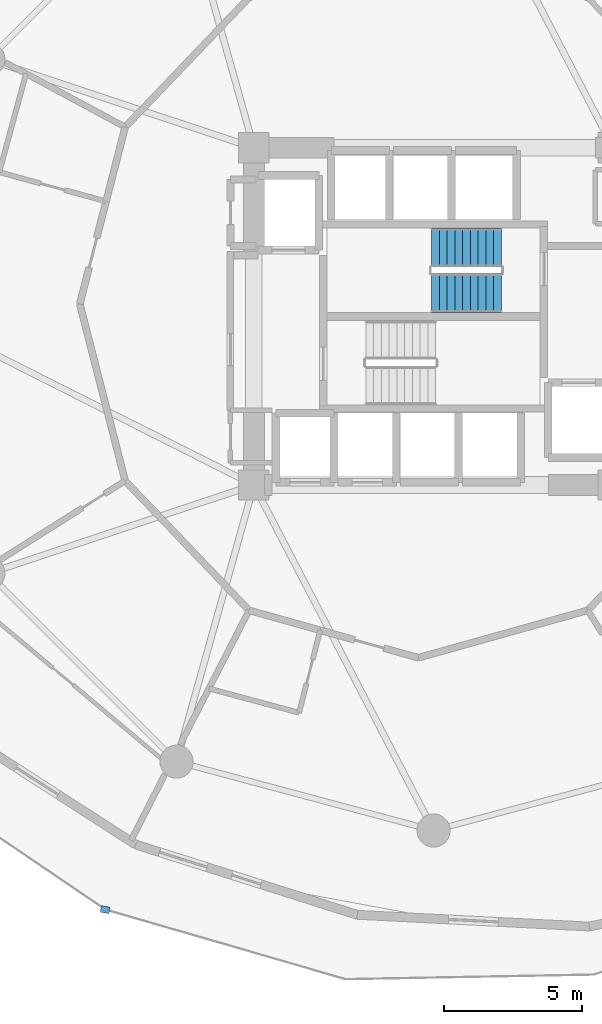
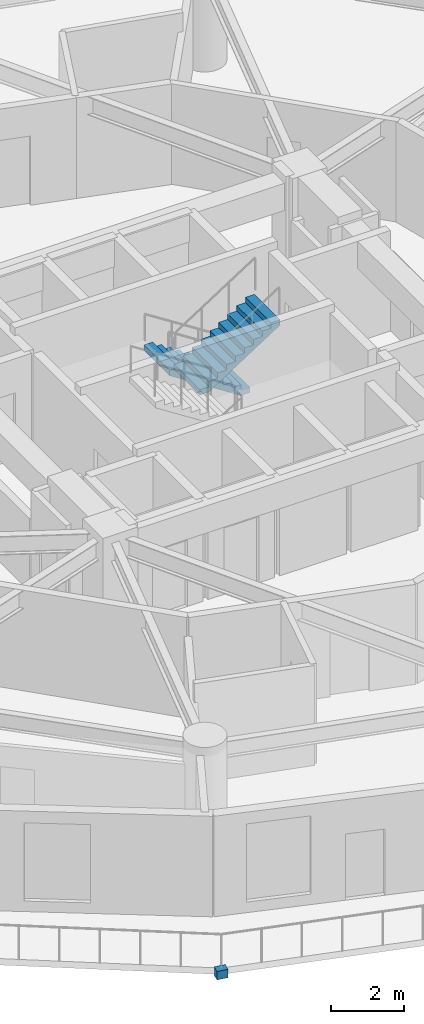
# One storey, part 20 of 23: 2 stair flights, 1 discrete accessory, 1 element without a shape of its own.
"""IFC4 building model written with IfcOpenShell, lengths in metres."""

from ifc_helpers import new_model, si_unit, direction, frame, origin, origin_2d, place, context, subcontext, project, spatial, polyline, rectangle, outline, extrude, material, type_object, element, aggregate, save


model = new_model("IFC4")

# Units and contexts
model_context = context("Model", 3, precision=1e-05, world=origin(), true_north=direction((0.0, 1.0)))
body_context = subcontext(model_context, "Body", "Model", "MODEL_VIEW")
ifc_project = project(units=[si_unit("LENGTHUNIT", "METRE"), si_unit("AREAUNIT", "SQUARE_METRE"), si_unit("VOLUMEUNIT", "CUBIC_METRE"), si_unit("PLANEANGLEUNIT", "RADIAN"), si_unit("MASSUNIT", "GRAM", prefix="KILO")], contexts=[model_context])

# Site, building, storey
site_placement = place(None, origin())
site = spatial("IfcSite", under=ifc_project, at=site_placement, CompositionType="ELEMENT")
building_placement = place(site_placement, origin())
building = spatial("IfcBuilding", under=site, at=building_placement, Name="Solvirekh Grand Hotel", CompositionType="ELEMENT")
storey_placement = place(building_placement, frame((0.0, 0.0, 46.39990234375)))
storey = spatial("IfcBuildingStorey", under=building, at=storey_placement, Name="L10", CompositionType="ELEMENT", Elevation=46.39990234375)

# Stair, stair flights
ifc_material_1 = material(Name="Concrete C40/50", Category="concrete")
stair_type = type_object("IfcStairType", Name="Stair_Core_1450", PredefinedType="HALF_TURN_STAIR", material=ifc_material_1)
stair_placement = place(storey_placement, origin())
stair = element("IfcStair", 1, at=stair_placement, inside=storey, type_object=stair_type, Name="L10 Enclosed exit stair ST-2", PredefinedType="HALF_TURN_STAIR")
stair_flight_type = type_object("IfcStairFlightType", Name="Flight_Core_1450", PredefinedType="STRAIGHT", material=ifc_material_1)
stair_flight_1_placement = place(storey_placement, frame((2.449951171875, 2.5, 0.0), z_axis=(0.0, 0.0, 1.0), x_axis=(-1.0, 0.0, 0.0)))
stair_flight_1 = element("IfcStairFlight", 2, at=stair_flight_1_placement, type_object=stair_flight_type, Name="ST-2 flight 1", NumberOfRisers=10, NumberOfTreads=9, PredefinedType="STRAIGHT", RiserHeight=0.18, TreadLength=0.28, context=body_context, shape_type="SweptSolid", body=[
    extrude(outline(polyline([(0.0, 0.0), (0.0, 0.179931640625), (0.280029296875, 0.179931640625), (0.280029296875, 0.360107421875), (0.56005859375, 0.360107421875), (0.56005859375, 0.5400390625), (0.840087890625, 0.5400390625), (0.840087890625, 0.719970703125), (1.1201171875, 0.719970703125), (1.1201171875, 0.89990234375), (1.39990234375, 0.89990234375), (1.39990234375, 1.080078125), (1.679931640625, 1.080078125), (1.679931640625, 1.260009765625), (1.9599609375, 1.260009765625), (1.9599609375, 1.43994140625), (2.239990234375, 1.43994140625), (2.239990234375, 1.6201171875), (2.52001953125, 1.6201171875), (2.52001953125, 1.800048828125), (2.52001953125, 1.44189453125), (0.277099609375, 0.0), (0.0, 0.0)])), frame((0.0, 0.699951171875, 0.0), z_axis=(0.0, -1.0, 0.0), x_axis=(1.0, 0.0, 0.0)), (0.0, 0.0, 1.0), 1.39990234375),
])
stair_flight_2_placement = place(storey_placement, frame((-0.070068359375, 0.85009765625, 1.800048828125), z_axis=(0.0, 0.0, 1.0), x_axis=(1.0, 0.0, 0.0)))
stair_flight_2 = element("IfcStairFlight", 3, at=stair_flight_2_placement, type_object=stair_flight_type, Name="ST-2 flight 2", NumberOfRisers=10, NumberOfTreads=9, PredefinedType="STRAIGHT", RiserHeight=0.18, TreadLength=0.28, context=body_context, shape_type="SweptSolid", body=[
    extrude(outline(polyline([(0.0, 0.0), (0.0, 0.179931640625), (0.280029296875, 0.179931640625), (0.280029296875, 0.360107421875), (0.56005859375, 0.360107421875), (0.56005859375, 0.5400390625), (0.840087890625, 0.5400390625), (0.840087890625, 0.719970703125), (1.1201171875, 0.719970703125), (1.1201171875, 0.89990234375), (1.39990234375, 0.89990234375), (1.39990234375, 1.080078125), (1.679931640625, 1.080078125), (1.679931640625, 1.260009765625), (1.9599609375, 1.260009765625), (1.9599609375, 1.43994140625), (2.239990234375, 1.43994140625), (2.239990234375, 1.6201171875), (2.52001953125, 1.6201171875), (2.52001953125, 1.800048828125), (2.52001953125, 1.44189453125), (0.277099609375, 0.0), (0.0, 0.0)])), frame((0.0, 0.699951171875, 0.0), z_axis=(0.0, -1.0, 0.0), x_axis=(1.0, 0.0, 0.0)), (0.0, 0.0, 1.0), 1.39990234375),
])
aggregate(stair, [stair_flight_1, stair_flight_2])

# Discrete accessory
ifc_material_2 = material(Name="Steel S355", Category="steel")
discrete_accessory_type = type_object("IfcDiscreteAccessoryType", Name="Acc_ThermalBracket", PredefinedType="BRACKET", material=ifc_material_2)
discrete_accessory_placement = place(storey_placement, frame((-11.882080078125, -21.4619140625, -0.27978515625), z_axis=(0.0, 0.0, 1.0), x_axis=(0.984195607969, -0.17708474032, 0.0)))
element("IfcDiscreteAccessory", 4, at=discrete_accessory_placement, inside=storey, type_object=discrete_accessory_type, Name="L10 balcony thermal-break bracket", PredefinedType="BRACKET", context=body_context, shape_type="SweptSolid", body=[
    extrude(rectangle(XDim=0.320068359375, YDim=0.239990234375, at=origin_2d()), origin(), (0.0, 0.0, 1.0), 0.280029296875),
])

save(model, "model.ifc")
